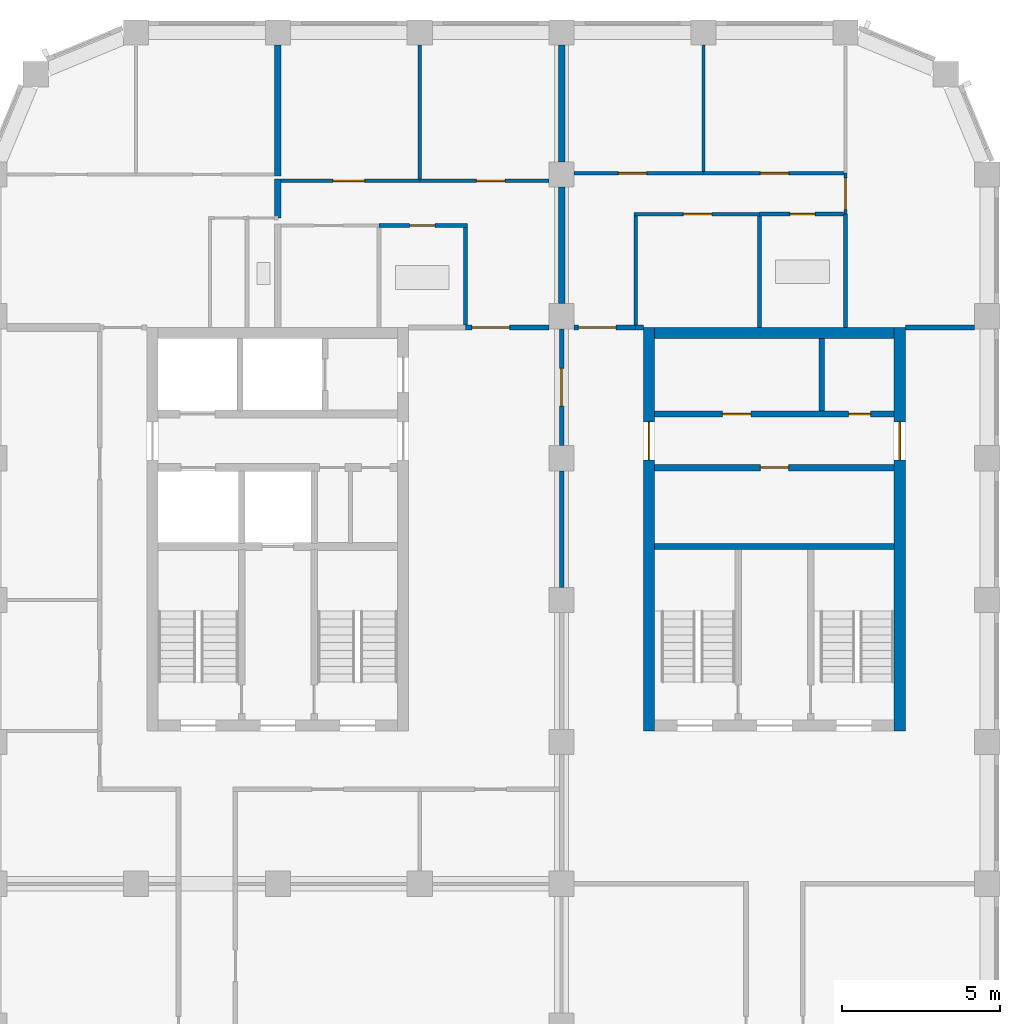
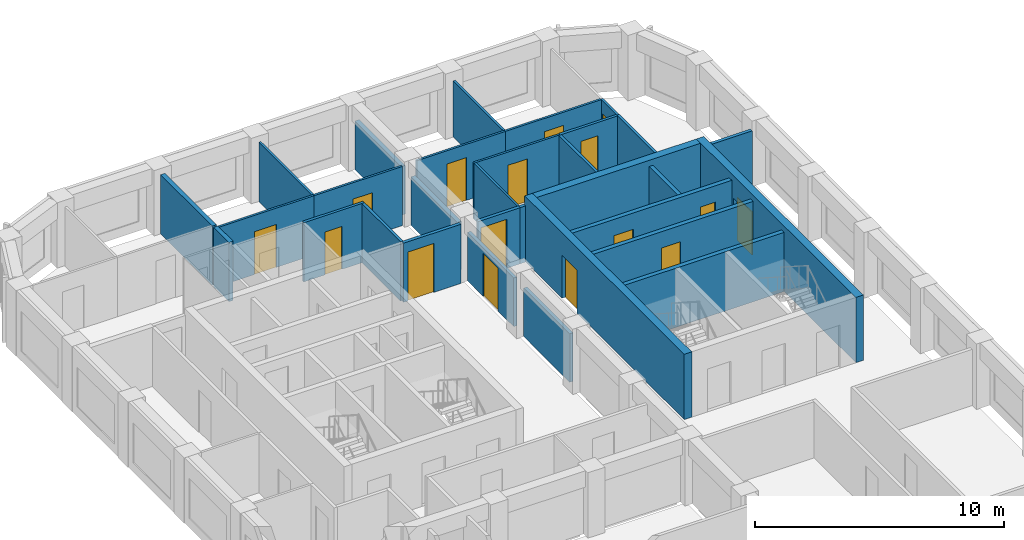
# One storey, part 6 of 9: 31 walls, 16 doors, 16 openings.
"""IFC4 building model written with IfcOpenShell, lengths in metres."""

from ifc_helpers import new_model, si_unit, direction, frame, frame_2d, origin, place, context, subcontext, project, spatial, rectangle, extrude, material, layer, layer_set, type_object, element, fill, save


model = new_model("IFC4")

# Units and contexts
model_context = context("Model", 3, precision=1e-05, world=origin(), true_north=direction((0.0, 1.0)))
body_context = subcontext(model_context, "Body", "Model", "MODEL_VIEW")
ifc_project = project(units=[si_unit("LENGTHUNIT", "METRE"), si_unit("AREAUNIT", "SQUARE_METRE"), si_unit("VOLUMEUNIT", "CUBIC_METRE"), si_unit("PLANEANGLEUNIT", "RADIAN"), si_unit("MASSUNIT", "GRAM", prefix="KILO")], contexts=[model_context])

# Site, building, storey
site_placement = place(None, origin())
site = spatial("IfcSite", under=ifc_project, at=site_placement, CompositionType="ELEMENT")
building_placement = place(site_placement, origin())
building = spatial("IfcBuilding", under=site, at=building_placement, Name="Girih Gate Residences", CompositionType="ELEMENT")
storey_placement = place(building_placement, frame((0.0, 0.0, 213.294921875)))
storey = spatial("IfcBuildingStorey", under=building, at=storey_placement, Name="L59", CompositionType="ELEMENT", Elevation=213.294921875)

# Wall, opening, door
ifc_material_1 = material(Name="Gypsum board on steel studs", Category="steel")
ifc_layer_1 = layer(ifc_material_1, 0.14990234375)
ifc_layer_set_1 = layer_set([ifc_layer_1], Name="Compartment wall 150 mm")
wall_type_1 = type_object("IfcWallType", Name="Compartment wall 150 mm", PredefinedType="PARTITIONING", material=ifc_layer_set_1)
wall_1_placement = place(storey_placement, frame((14.949951171875, 40.14990234375, 0.0), z_axis=(0.0, 0.0, 1.0), x_axis=(1.0, 0.0, 0.0)))
wall_1 = element("IfcWall", 1, at=wall_1_placement, inside=storey, type_object=wall_type_1, Name="L59 partition", PredefinedType="PARTITIONING", context=body_context, shape_type="SweptSolid", body=[
    extrude(rectangle(XDim=2.650146484375, YDim=0.14990234375, at=frame_2d((1.3251953125, 0.0))), origin(), (0.0, 0.0, 1.0), 2.900146484375),
])
opening_1_placement = place(wall_1_placement, frame((0.199951171875, 0.0, 0.0)))
opening_1 = element("IfcOpeningElement", 2, at=opening_1_placement, cuts=wall_1, Name="Opening A59-016", PredefinedType="OPENING", context=body_context, shape_type="SweptSolid", body=[
    extrude(rectangle(XDim=1.199951171875, YDim=2.39990234375, at=frame_2d((0.60009765625, 1.199951171875))), frame((0.0, 0.0849609375, 0.0), z_axis=(0.0, -1.0, 0.0), x_axis=(1.0, 0.0, 0.0)), (0.0, 0.0, 1.0), 0.169921875),
])
ifc_material_2 = material(Name="Timber, fire-rated core", Category="wood")
door_type_1 = type_object("IfcDoorType", Name="Villa entrance door 1200x2400 FD30S", OperationType="NOTDEFINED", PredefinedType="DOOR", material=ifc_material_2)
door_1_placement = place(opening_1_placement, origin())
door_1 = element("IfcDoor", 3, at=door_1_placement, inside=storey, type_object=door_type_1, Name="Door A59-016", OperationType="SINGLE_SWING_LEFT", OverallHeight=2.39990234375, OverallWidth=1.199951171875, PredefinedType="DOOR", context=body_context, shape_type="SweptSolid", body=[
    extrude(rectangle(XDim=1.199951171875, YDim=2.39990234375, at=frame_2d((0.60009765625, 1.199951171875))), frame((0.0, 0.02490234375, 0.0), z_axis=(0.0, -1.0, 0.0), x_axis=(1.0, 0.0, 0.0)), (0.0, 0.0, 1.0), 0.050048828125),
])
fill(opening_1, door_1)

wall_2_placement = place(storey_placement, frame((18.39990234375, 40.14990234375, 0.0), z_axis=(0.0, 0.0, 1.0), x_axis=(1.0, 0.0, 0.0)))
wall_2 = element("IfcWall", 4, at=wall_2_placement, inside=storey, type_object=wall_type_1, Name="L59 partition", PredefinedType="PARTITIONING", context=body_context, shape_type="SweptSolid", body=[
    extrude(rectangle(XDim=1.9501953125, YDim=0.14990234375, at=frame_2d((0.97509765625, 0.0))), origin(), (0.0, 0.0, 1.0), 2.75),
])
opening_2_placement = place(wall_2_placement, frame((0.1298828125, 0.0, 0.0)))
opening_2 = element("IfcOpeningElement", 5, at=opening_2_placement, cuts=wall_2, Name="Opening A59-022", PredefinedType="OPENING", context=body_context, shape_type="SweptSolid", body=[
    extrude(rectangle(XDim=1.199951171875, YDim=2.39990234375, at=frame_2d((0.60009765625, 1.199951171875))), frame((0.0, 0.0849609375, 0.0), z_axis=(0.0, -1.0, 0.0), x_axis=(1.0, 0.0, 0.0)), (0.0, 0.0, 1.0), 0.169921875),
])
door_2_placement = place(opening_2_placement, origin())
door_2 = element("IfcDoor", 6, at=door_2_placement, inside=storey, type_object=door_type_1, Name="Door A59-022", OperationType="SINGLE_SWING_LEFT", OverallHeight=2.39990234375, OverallWidth=1.199951171875, PredefinedType="DOOR", context=body_context, shape_type="SweptSolid", body=[
    extrude(rectangle(XDim=1.199951171875, YDim=2.39990234375, at=frame_2d((0.60009765625, 1.199951171875))), frame((0.0, 0.02490234375, 0.0), z_axis=(0.0, -1.0, 0.0), x_axis=(1.0, 0.0, 0.0)), (0.0, 0.0, 1.0), 0.050048828125),
])
fill(opening_2, door_2)

# Walls
wall_3_placement = place(storey_placement, frame((20.35009765625, 40.14990234375, 0.0), z_axis=(0.0, 0.0, 1.0), x_axis=(1.0, 0.0, 0.0)))
element("IfcWall", 7, at=wall_3_placement, inside=storey, type_object=wall_type_1, Name="L59 partition", PredefinedType="PARTITIONING", context=body_context, shape_type="SweptSolid", body=[
    extrude(rectangle(XDim=0.25, YDim=0.14990234375, at=frame_2d((0.125, 0.0))), origin(), (0.0, 0.0, 1.0), 2.75),
])
wall_4_placement = place(storey_placement, frame((28.89990234375, 40.14990234375, 0.0), z_axis=(0.0, 0.0, 1.0), x_axis=(1.0, 0.0, 0.0)))
element("IfcWall", 8, at=wall_4_placement, inside=storey, type_object=wall_type_1, Name="L59 partition", PredefinedType="PARTITIONING", context=body_context, shape_type="SweptSolid", body=[
    extrude(rectangle(XDim=2.2001953125, YDim=0.14990234375, at=frame_2d((1.10009765625, 0.0))), origin(), (0.0, 0.0, 1.0), 2.75),
])
wall_5_placement = place(storey_placement, frame((18.0, 31.89990234375, 0.0), z_axis=(0.0, 0.0, 1.0), x_axis=(0.0, 1.0, 0.0)))
element("IfcWall", 9, at=wall_5_placement, inside=storey, type_object=wall_type_1, Name="L59 partition", PredefinedType="PARTITIONING", context=body_context, shape_type="SweptSolid", body=[
    extrude(rectangle(XDim=3.7001953125, YDim=0.14990234375, at=frame_2d((1.85009765625, 0.0))), origin(), (0.0, 0.0, 1.0), 2.380126953125),
])

# Wall, opening, door
wall_6_placement = place(storey_placement, frame((18.0, 40.10009765625, 0.0), z_axis=(0.0, 0.0, 1.0), x_axis=(0.0, -1.0, 0.0)))
wall_6 = element("IfcWall", 10, at=wall_6_placement, inside=storey, type_object=wall_type_1, Name="L59 partition", PredefinedType="PARTITIONING", context=body_context, shape_type="SweptSolid", body=[
    extrude(rectangle(XDim=3.7001953125, YDim=0.14990234375, at=frame_2d((1.85009765625, 0.0))), origin(), (0.0, 0.0, 1.0), 2.380126953125),
])
opening_3_placement = place(wall_6_placement, frame((1.25, 0.0, 0.0)))
opening_3 = element("IfcOpeningElement", 11, at=opening_3_placement, cuts=wall_6, Name="Opening A59-024", PredefinedType="OPENING", context=body_context, shape_type="SweptSolid", body=[
    extrude(rectangle(XDim=1.199951171875, YDim=2.10009765625, at=frame_2d((0.60009765625, 1.050048828125))), frame((0.0, 0.0849609375, 0.0), z_axis=(0.0, -1.0, 0.0), x_axis=(1.0, 0.0, 0.0)), (0.0, 0.0, 1.0), 0.169921875),
])
door_type_2 = type_object("IfcDoorType", Name="Corridor fire door 1200x2100 FD30S", OperationType="NOTDEFINED", PredefinedType="DOOR", material=ifc_material_2)
door_3_placement = place(opening_3_placement, origin())
door_3 = element("IfcDoor", 12, at=door_3_placement, inside=storey, type_object=door_type_2, Name="Door A59-024", OperationType="SINGLE_SWING_LEFT", OverallHeight=2.10009765625, OverallWidth=1.199951171875, PredefinedType="DOOR", context=body_context, shape_type="SweptSolid", body=[
    extrude(rectangle(XDim=1.199951171875, YDim=2.10009765625, at=frame_2d((0.60009765625, 1.050048828125))), frame((0.0, 0.02490234375, 0.0), z_axis=(0.0, -1.0, 0.0), x_axis=(1.0, 0.0, 0.0)), (0.0, 0.0, 1.0), 0.050048828125),
])
fill(opening_3, door_3)

ifc_layer_2 = layer(ifc_material_1, 0.10009765625)
ifc_layer_set_2 = layer_set([ifc_layer_2], Name="Partition 100 mm")
wall_type_2 = type_object("IfcWallType", Name="Partition 100 mm", PredefinedType="PARTITIONING", material=ifc_layer_set_2)
wall_7_placement = place(storey_placement, frame((13.5, 44.800048828125, 0.0), z_axis=(0.0, 0.0, 1.0), x_axis=(1.0, 0.0, 0.0)))
wall_7 = element("IfcWall", 13, at=wall_7_placement, inside=storey, type_object=wall_type_2, Name="L59 partition", PredefinedType="PARTITIONING", context=body_context, shape_type="SweptSolid", body=[
    extrude(rectangle(XDim=4.10009765625, YDim=0.10009765625, at=frame_2d((2.050048828125, 0.0))), origin(), (0.0, 0.0, 1.0), 2.900146484375),
])
opening_4_placement = place(wall_7_placement, frame((1.800048828125, 0.0, 0.0)))
opening_4 = element("IfcOpeningElement", 14, at=opening_4_placement, cuts=wall_7, Name="Opening A59-013", PredefinedType="OPENING", context=body_context, shape_type="SweptSolid", body=[
    extrude(rectangle(XDim=0.89990234375, YDim=2.10009765625, at=frame_2d((0.449951171875, 1.050048828125))), frame((0.0, 0.06005859375, 0.0), z_axis=(0.0, -1.0, 0.0), x_axis=(1.0, 0.0, 0.0)), (0.0, 0.0, 1.0), 0.1201171875),
])
ifc_material_3 = material(Name="Timber", Category="wood")
door_type_3 = type_object("IfcDoorType", Name="Bedroom door 900x2100", OperationType="NOTDEFINED", PredefinedType="DOOR", material=ifc_material_3)
door_4_placement = place(opening_4_placement, origin())
door_4 = element("IfcDoor", 15, at=door_4_placement, inside=storey, type_object=door_type_3, Name="Door A59-013", OperationType="SINGLE_SWING_RIGHT", OverallHeight=2.10009765625, OverallWidth=0.89990234375, PredefinedType="DOOR", context=body_context, shape_type="SweptSolid", body=[
    extrude(rectangle(XDim=0.89990234375, YDim=2.10009765625, at=frame_2d((0.449951171875, 1.050048828125))), frame((0.0, 0.02490234375, 0.0), z_axis=(0.0, -1.0, 0.0), x_axis=(1.0, 0.0, 0.0)), (0.0, 0.0, 1.0), 0.050048828125),
])
fill(opening_4, door_4)

# Wall
wall_8_placement = place(storey_placement, frame((13.5, 44.85009765625, 0.0), z_axis=(0.0, 0.0, 1.0), x_axis=(0.0, 1.0, 0.0)))
element("IfcWall", 16, at=wall_8_placement, inside=storey, type_object=wall_type_2, Name="L59 partition", PredefinedType="PARTITIONING", context=body_context, shape_type="SweptSolid", body=[
    extrude(rectangle(XDim=4.25, YDim=0.10009765625, at=frame_2d((2.125, 0.0))), origin(), (0.0, 0.0, 1.0), 2.900146484375),
])

# Wall, opening, door
wall_9_placement = place(storey_placement, frame((9.10009765625, 44.800048828125, 0.0), z_axis=(0.0, 0.0, 1.0), x_axis=(1.0, 0.0, 0.0)))
wall_9 = element("IfcWall", 17, at=wall_9_placement, inside=storey, type_object=wall_type_2, Name="L59 partition", PredefinedType="PARTITIONING", context=body_context, shape_type="SweptSolid", body=[
    extrude(rectangle(XDim=4.39990234375, YDim=0.10009765625, at=frame_2d((2.199951171875, 0.0))), origin(), (0.0, 0.0, 1.0), 2.900146484375),
])
opening_5_placement = place(wall_9_placement, frame((1.64990234375, 0.0, 0.0)))
opening_5 = element("IfcOpeningElement", 18, at=opening_5_placement, cuts=wall_9, Name="Opening A59-015", PredefinedType="OPENING", context=body_context, shape_type="SweptSolid", body=[
    extrude(rectangle(XDim=1.0, YDim=2.10009765625, at=frame_2d((0.5, 1.050048828125))), frame((0.0, 0.06005859375, 0.0), z_axis=(0.0, -1.0, 0.0), x_axis=(1.0, 0.0, 0.0)), (0.0, 0.0, 1.0), 0.1201171875),
])
door_type_4 = type_object("IfcDoorType", Name="Living room door 1000x2100", OperationType="NOTDEFINED", PredefinedType="DOOR", material=ifc_material_3)
door_5_placement = place(opening_5_placement, origin())
door_5 = element("IfcDoor", 19, at=door_5_placement, inside=storey, type_object=door_type_4, Name="Door A59-015", OperationType="SINGLE_SWING_LEFT", OverallHeight=2.10009765625, OverallWidth=1.0, PredefinedType="DOOR", context=body_context, shape_type="SweptSolid", body=[
    extrude(rectangle(XDim=1.0, YDim=2.10009765625, at=frame_2d((0.5, 1.050048828125))), frame((0.0, 0.02490234375, 0.0), z_axis=(0.0, -1.0, 0.0), x_axis=(1.0, 0.0, 0.0)), (0.0, 0.0, 1.0), 0.050048828125),
])
fill(opening_5, door_5)

# Wall
wall_10_placement = place(storey_placement, frame((22.5, 45.090087890625, 0.0), z_axis=(0.0, 0.0, 1.0), x_axis=(0.0, 1.0, 0.0)))
element("IfcWall", 20, at=wall_10_placement, inside=storey, type_object=wall_type_2, Name="L59 partition", PredefinedType="PARTITIONING", context=body_context, shape_type="SweptSolid", body=[
    extrude(rectangle(XDim=4.010009765625, YDim=0.10009765625, at=frame_2d((2.0048828125, 0.0))), origin(), (0.0, 0.0, 1.0), 2.75),
])

# Wall, opening, door
wall_11_placement = place(storey_placement, frame((18.39990234375, 45.0400390625, 0.0), z_axis=(0.0, 0.0, 1.0), x_axis=(1.0, 0.0, 0.0)))
wall_11 = element("IfcWall", 21, at=wall_11_placement, inside=storey, type_object=wall_type_2, Name="L59 partition", PredefinedType="PARTITIONING", context=body_context, shape_type="SweptSolid", body=[
    extrude(rectangle(XDim=4.10009765625, YDim=0.10009765625, at=frame_2d((2.050048828125, 0.0))), origin(), (0.0, 0.0, 1.0), 2.75),
])
opening_6_placement = place(wall_11_placement, frame((1.39990234375, 0.0, 0.0)))
opening_6 = element("IfcOpeningElement", 22, at=opening_6_placement, cuts=wall_11, Name="Opening A59-018", PredefinedType="OPENING", context=body_context, shape_type="SweptSolid", body=[
    extrude(rectangle(XDim=0.89990234375, YDim=2.10009765625, at=frame_2d((0.449951171875, 1.050048828125))), frame((0.0, 0.06005859375, 0.0), z_axis=(0.0, -1.0, 0.0), x_axis=(1.0, 0.0, 0.0)), (0.0, 0.0, 1.0), 0.1201171875),
])
door_6_placement = place(opening_6_placement, origin())
door_6 = element("IfcDoor", 23, at=door_6_placement, inside=storey, type_object=door_type_3, Name="Door A59-018", OperationType="SINGLE_SWING_LEFT", OverallHeight=2.10009765625, OverallWidth=0.89990234375, PredefinedType="DOOR", context=body_context, shape_type="SweptSolid", body=[
    extrude(rectangle(XDim=0.89990234375, YDim=2.10009765625, at=frame_2d((0.449951171875, 1.050048828125))), frame((0.0, 0.02490234375, 0.0), z_axis=(0.0, -1.0, 0.0), x_axis=(1.0, 0.0, 0.0)), (0.0, 0.0, 1.0), 0.050048828125),
])
fill(opening_6, door_6)

wall_12_placement = place(storey_placement, frame((22.5, 45.0400390625, 0.0), z_axis=(0.0, 0.0, 1.0), x_axis=(1.0, 0.0, 0.0)))
wall_12 = element("IfcWall", 24, at=wall_12_placement, inside=storey, type_object=wall_type_2, Name="L59 partition", PredefinedType="PARTITIONING", context=body_context, shape_type="SweptSolid", body=[
    extrude(rectangle(XDim=4.449951171875, YDim=0.10009765625, at=frame_2d((2.22509765625, 0.0))), origin(), (0.0, 0.0, 1.0), 2.75),
])
opening_7_placement = place(wall_12_placement, frame((1.800048828125, 0.0, 0.0)))
opening_7 = element("IfcOpeningElement", 25, at=opening_7_placement, cuts=wall_12, Name="Opening A59-019", PredefinedType="OPENING", context=body_context, shape_type="SweptSolid", body=[
    extrude(rectangle(XDim=0.89990234375, YDim=2.10009765625, at=frame_2d((0.449951171875, 1.050048828125))), frame((0.0, 0.06005859375, 0.0), z_axis=(0.0, -1.0, 0.0), x_axis=(1.0, 0.0, 0.0)), (0.0, 0.0, 1.0), 0.1201171875),
])
door_7_placement = place(opening_7_placement, origin())
door_7 = element("IfcDoor", 26, at=door_7_placement, inside=storey, type_object=door_type_3, Name="Door A59-019", OperationType="SINGLE_SWING_RIGHT", OverallHeight=2.10009765625, OverallWidth=0.89990234375, PredefinedType="DOOR", context=body_context, shape_type="SweptSolid", body=[
    extrude(rectangle(XDim=0.89990234375, YDim=2.10009765625, at=frame_2d((0.449951171875, 1.050048828125))), frame((0.0, 0.02490234375, 0.0), z_axis=(0.0, -1.0, 0.0), x_axis=(1.0, 0.0, 0.0)), (0.0, 0.0, 1.0), 0.050048828125),
])
fill(opening_7, door_7)

wall_13_placement = place(storey_placement, frame((24.2783203125, 43.739990234375, 0.0), z_axis=(0.0, 0.0, 1.0), x_axis=(-1.0, 0.0, 0.0)))
wall_13 = element("IfcWall", 27, at=wall_13_placement, inside=storey, type_object=wall_type_2, Name="L59 partition", PredefinedType="PARTITIONING", context=body_context, shape_type="SweptSolid", body=[
    extrude(rectangle(XDim=3.978271484375, YDim=0.10009765625, at=frame_2d((1.9892578125, 0.0))), origin(), (0.0, 0.0, 1.0), 2.75),
])
opening_8_placement = place(wall_13_placement, frame((1.51416015625, 0.0, 0.0)))
opening_8 = element("IfcOpeningElement", 28, at=opening_8_placement, cuts=wall_13, Name="Opening A59-020", PredefinedType="OPENING", context=body_context, shape_type="SweptSolid", body=[
    extrude(rectangle(XDim=0.89990234375, YDim=2.10009765625, at=frame_2d((0.449951171875, 1.050048828125))), frame((0.0, 0.06005859375, 0.0), z_axis=(0.0, -1.0, 0.0), x_axis=(1.0, 0.0, 0.0)), (0.0, 0.0, 1.0), 0.1201171875),
])
door_type_5 = type_object("IfcDoorType", Name="Kitchen door 900x2100", OperationType="NOTDEFINED", PredefinedType="DOOR", material=ifc_material_3)
door_8_placement = place(opening_8_placement, origin())
door_8 = element("IfcDoor", 29, at=door_8_placement, inside=storey, type_object=door_type_5, Name="Door A59-020", OperationType="SINGLE_SWING_LEFT", OverallHeight=2.10009765625, OverallWidth=0.89990234375, PredefinedType="DOOR", context=body_context, shape_type="SweptSolid", body=[
    extrude(rectangle(XDim=0.89990234375, YDim=2.10009765625, at=frame_2d((0.449951171875, 1.050048828125))), frame((0.0, 0.02490234375, 0.0), z_axis=(0.0, -1.0, 0.0), x_axis=(1.0, 0.0, 0.0)), (0.0, 0.0, 1.0), 0.050048828125),
])
fill(opening_8, door_8)

# Wall
wall_14_placement = place(storey_placement, frame((20.35009765625, 40.22509765625, 0.0), z_axis=(0.0, 0.0, 1.0), x_axis=(0.0, 1.0, 0.0)))
element("IfcWall", 30, at=wall_14_placement, inside=storey, type_object=wall_type_2, Name="L59 partition", PredefinedType="PARTITIONING", context=body_context, shape_type="SweptSolid", body=[
    extrude(rectangle(XDim=3.46484375, YDim=0.10009765625, at=frame_2d((1.732421875, 0.0))), origin(), (0.0, 0.0, 1.0), 2.75),
])

# Wall, opening, door
wall_15_placement = place(storey_placement, frame((27.0, 45.0400390625, 0.0), z_axis=(0.0, 0.0, 1.0), x_axis=(0.0, -1.0, 0.0)))
wall_15 = element("IfcWall", 31, at=wall_15_placement, inside=storey, type_object=wall_type_2, Name="L59 partition", PredefinedType="PARTITIONING", context=body_context, shape_type="SweptSolid", body=[
    extrude(rectangle(XDim=1.300048828125, YDim=0.10009765625, at=frame_2d((0.64990234375, 0.0))), origin(), (0.0, 0.0, 1.0), 2.75),
])
opening_9_placement = place(wall_15_placement, frame((0.14990234375, 0.0, 0.0)))
opening_9 = element("IfcOpeningElement", 32, at=opening_9_placement, cuts=wall_15, Name="Opening A59-021", PredefinedType="OPENING", context=body_context, shape_type="SweptSolid", body=[
    extrude(rectangle(XDim=1.0, YDim=2.10009765625, at=frame_2d((0.5, 1.050048828125))), frame((0.0, 0.06005859375, 0.0), z_axis=(0.0, -1.0, 0.0), x_axis=(1.0, 0.0, 0.0)), (0.0, 0.0, 1.0), 0.1201171875),
])
door_9_placement = place(opening_9_placement, origin())
door_9 = element("IfcDoor", 33, at=door_9_placement, inside=storey, type_object=door_type_4, Name="Door A59-021", OperationType="SINGLE_SWING_RIGHT", OverallHeight=2.10009765625, OverallWidth=1.0, PredefinedType="DOOR", context=body_context, shape_type="SweptSolid", body=[
    extrude(rectangle(XDim=1.0, YDim=2.10009765625, at=frame_2d((0.5, 1.050048828125))), frame((0.0, 0.02490234375, 0.0), z_axis=(0.0, -1.0, 0.0), x_axis=(1.0, 0.0, 0.0)), (0.0, 0.0, 1.0), 0.050048828125),
])
fill(opening_9, door_9)

# Walls
ifc_layer_3 = layer(ifc_material_1, 0.199951171875)
ifc_layer_set_3 = layer_set([ifc_layer_3], Name="Party wall 200 mm")
wall_type_3 = type_object("IfcWallType", Name="Party wall 200 mm", PredefinedType="PARTITIONING", material=ifc_layer_set_3)
wall_16_placement = place(storey_placement, frame((9.0, 44.949951171875, 0.0), z_axis=(0.0, 0.0, 1.0), x_axis=(0.0, 1.0, 0.0)))
element("IfcWall", 34, at=wall_16_placement, inside=storey, type_object=wall_type_3, Name="L59 partition", PredefinedType="PARTITIONING", context=body_context, shape_type="SweptSolid", body=[
    extrude(rectangle(XDim=4.150146484375, YDim=0.199951171875, at=frame_2d((2.0751953125, 0.0))), origin(), (0.0, 0.0, 1.0), 2.900146484375),
])
wall_17_placement = place(storey_placement, frame((9.0, 43.6201171875, 0.0), z_axis=(0.0, 0.0, 1.0), x_axis=(0.0, 1.0, 0.0)))
element("IfcWall", 35, at=wall_17_placement, inside=storey, type_object=wall_type_3, Name="L59 partition", PredefinedType="PARTITIONING", context=body_context, shape_type="SweptSolid", body=[
    extrude(rectangle(XDim=1.22998046875, YDim=0.199951171875, at=frame_2d((0.614990234375, 0.0))), origin(), (0.0, 0.0, 1.0), 2.900146484375),
])
for number, where, z_axis, x_axis, name in (
    (36, (18.0, 45.39990234375, 0.0), (0.0, 0.0, 1.0), (0.0, 1.0, 0.0), "L59 partition"),
    (37, (18.0, 40.89990234375, 0.0), (0.0, 0.0, 1.0), (0.0, 1.0, 0.0), "L59 partition"),
):
    element("IfcWall", number, at=place(storey_placement, frame(where, z_axis=z_axis, x_axis=x_axis)), inside=storey, type_object=wall_type_3, Name=name, PredefinedType="PARTITIONING", context=body_context, shape_type="SweptSolid", body=[
        extrude(rectangle(XDim=3.7001953125, YDim=0.199951171875, at=frame_2d((1.85009765625, 0.0))), origin(), (0.0, 0.0, 1.0), 2.380126953125),
    ])
ifc_material_4 = material(Name="Concrete C40/50", Category="concrete")
ifc_layer_4 = layer(ifc_material_4, 0.175048828125)
ifc_layer_set_4 = layer_set([ifc_layer_4], Name="Riser shaft wall 175")
wall_type_4 = type_object("IfcWallType", Name="Riser shaft wall 175", PredefinedType="SOLIDWALL", material=ifc_layer_set_4)
wall_18_placement = place(storey_placement, frame((26.25, 37.5, 0.0), z_axis=(0.0, 0.0, 1.0), x_axis=(0.0, 1.0, 0.0)))
element("IfcWall", 38, at=wall_18_placement, inside=storey, type_object=wall_type_4, Name="L59 C core wall V2c", PredefinedType="SOLIDWALL", context=body_context, shape_type="SweptSolid", body=[
    extrude(rectangle(XDim=2.300048828125, YDim=0.175048828125, at=frame_2d((1.14990234375, 0.0))), origin(), (0.0, 0.0, 1.0), 2.900146484375),
])
ifc_layer_5 = layer(ifc_material_4, 0.199951171875)
ifc_layer_set_5 = layer_set([ifc_layer_5], Name="Shaft wall 200")
wall_type_5 = type_object("IfcWallType", Name="Shaft wall 200", PredefinedType="SOLIDWALL", material=ifc_layer_set_5)
wall_19_placement = place(storey_placement, frame((20.949951171875, 33.199951171875, 0.0), z_axis=(0.0, 0.0, 1.0), x_axis=(1.0, 0.0, 0.0)))
element("IfcWall", 39, at=wall_19_placement, inside=storey, type_object=wall_type_5, Name="L59 C core wall H1", PredefinedType="SOLIDWALL", context=body_context, shape_type="SweptSolid", body=[
    extrude(rectangle(XDim=7.60009765625, YDim=0.199951171875, at=frame_2d((3.800048828125, 0.0))), origin(), (0.0, 0.0, 1.0), 2.900146484375),
])

# Wall, opening, door
wall_20_placement = place(storey_placement, frame((20.949951171875, 35.699951171875, 0.0), z_axis=(0.0, 0.0, 1.0), x_axis=(1.0, 0.0, 0.0)))
wall_20 = element("IfcWall", 40, at=wall_20_placement, inside=storey, type_object=wall_type_5, Name="L59 C core wall H2", PredefinedType="SOLIDWALL", context=body_context, shape_type="SweptSolid", body=[
    extrude(rectangle(XDim=7.60009765625, YDim=0.199951171875, at=frame_2d((3.800048828125, 0.0))), origin(), (0.0, 0.0, 1.0), 2.900146484375),
])
opening_10_placement = place(wall_20_placement, frame((3.35009765625, 0.0, 0.0)))
opening_10 = element("IfcOpeningElement", 41, at=opening_10_placement, cuts=wall_20, Name="Opening D-L59-C-004", PredefinedType="OPENING", context=body_context, shape_type="SweptSolid", body=[
    extrude(rectangle(XDim=0.89990234375, YDim=2.10009765625, at=frame_2d((0.449951171875, 1.050048828125))), frame((0.0, 0.10986328125, 0.0), z_axis=(0.0, -1.0, 0.0), x_axis=(1.0, 0.0, 0.0)), (0.0, 0.0, 1.0), 0.219970703125),
])
ifc_material_5 = material(Name="Painted steel, fire-resisting", Category="steel")
door_type_6 = type_object("IfcDoorType", Name="Fire door 900x2100", OperationType="SINGLE_SWING_LEFT", PredefinedType="DOOR", material=ifc_material_5)
door_10_placement = place(opening_10_placement, origin())
door_10 = element("IfcDoor", 42, at=door_10_placement, inside=storey, type_object=door_type_6, Name="L59 C refuse store door", OperationType="SINGLE_SWING_LEFT", OverallHeight=2.10009765625, OverallWidth=0.89990234375, PredefinedType="DOOR", context=body_context, shape_type="SweptSolid", body=[
    extrude(rectangle(XDim=0.89990234375, YDim=2.10009765625, at=frame_2d((0.449951171875, 1.050048828125))), frame((0.0, 0.02490234375, 0.0), z_axis=(0.0, -1.0, 0.0), x_axis=(1.0, 0.0, 0.0)), (0.0, 0.0, 1.0), 0.050048828125),
])
fill(opening_10, door_10)

# Wall, openings, doors
wall_21_placement = place(storey_placement, frame((20.949951171875, 37.39990234375, 0.0), z_axis=(0.0, 0.0, 1.0), x_axis=(1.0, 0.0, 0.0)))
wall_21 = element("IfcWall", 43, at=wall_21_placement, inside=storey, type_object=wall_type_5, Name="L59 C core wall H3", PredefinedType="SOLIDWALL", context=body_context, shape_type="SweptSolid", body=[
    extrude(rectangle(XDim=7.60009765625, YDim=0.199951171875, at=frame_2d((3.800048828125, 0.0))), origin(), (0.0, 0.0, 1.0), 2.900146484375),
])
opening_11_placement = place(wall_21_placement, frame((6.14990234375, 0.0, 0.0)))
opening_11 = element("IfcOpeningElement", 44, at=opening_11_placement, cuts=wall_21, Name="Opening D-L59-C-003", PredefinedType="OPENING", context=body_context, shape_type="SweptSolid", body=[
    extrude(rectangle(XDim=0.699951171875, YDim=2.10009765625, at=frame_2d((0.35009765625, 1.050048828125))), frame((0.0, 0.10986328125, 0.0), z_axis=(0.0, -1.0, 0.0), x_axis=(1.0, 0.0, 0.0)), (0.0, 0.0, 1.0), 0.219970703125),
])
opening_12_placement = place(wall_21_placement, frame((2.14990234375, 0.0, 0.0)))
opening_12 = element("IfcOpeningElement", 45, at=opening_12_placement, cuts=wall_21, Name="Opening D-L59-C-005", PredefinedType="OPENING", context=body_context, shape_type="SweptSolid", body=[
    extrude(rectangle(XDim=0.89990234375, YDim=2.10009765625, at=frame_2d((0.449951171875, 1.050048828125))), frame((0.0, 0.10986328125, 0.0), z_axis=(0.0, -1.0, 0.0), x_axis=(1.0, 0.0, 0.0)), (0.0, 0.0, 1.0), 0.219970703125),
])
door_11_placement = place(opening_12_placement, origin())
door_11 = element("IfcDoor", 46, at=door_11_placement, inside=storey, type_object=door_type_6, Name="L59 C maintenance store door", OperationType="SINGLE_SWING_LEFT", OverallHeight=2.10009765625, OverallWidth=0.89990234375, PredefinedType="DOOR", context=body_context, shape_type="SweptSolid", body=[
    extrude(rectangle(XDim=0.89990234375, YDim=2.10009765625, at=frame_2d((0.449951171875, 1.050048828125))), frame((0.0, 0.02490234375, 0.0), z_axis=(0.0, -1.0, 0.0), x_axis=(1.0, 0.0, 0.0)), (0.0, 0.0, 1.0), 0.050048828125),
])
fill(opening_12, door_11)
door_type_7 = type_object("IfcDoorType", Name="Riser access door 700x2100", OperationType="SINGLE_SWING_LEFT", PredefinedType="DOOR", material=ifc_material_5)
door_12_placement = place(opening_11_placement, origin())
door_12 = element("IfcDoor", 47, at=door_12_placement, inside=storey, type_object=door_type_7, Name="L59 C riser room door", OperationType="SINGLE_SWING_LEFT", OverallHeight=2.10009765625, OverallWidth=0.699951171875, PredefinedType="DOOR", context=body_context, shape_type="SweptSolid", body=[
    extrude(rectangle(XDim=0.699951171875, YDim=2.10009765625, at=frame_2d((0.35009765625, 1.050048828125))), frame((0.0, 0.02490234375, 0.0), z_axis=(0.0, -1.0, 0.0), x_axis=(1.0, 0.0, 0.0)), (0.0, 0.0, 1.0), 0.050048828125),
])
fill(opening_11, door_12)

# Wall
ifc_layer_6 = layer(ifc_material_4, 0.35009765625)
ifc_layer_set_6 = layer_set([ifc_layer_6], Name="Stair core wall RC 350 Concrete C40/50")
wall_type_6 = type_object("IfcWallType", Name="Stair core wall RC 350 Concrete C40/50", PredefinedType="SOLIDWALL", material=ifc_layer_set_6)
wall_22_placement = place(storey_placement, frame((20.949951171875, 39.97509765625, 0.0), z_axis=(0.0, 0.0, 1.0), x_axis=(1.0, 0.0, 0.0)))
element("IfcWall", 48, at=wall_22_placement, inside=storey, type_object=wall_type_6, Name="Stair core wall C-N L59", PredefinedType="SOLIDWALL", context=body_context, shape_type="SweptSolid", body=[
    extrude(rectangle(XDim=7.60009765625, YDim=0.35009765625, at=frame_2d((3.800048828125, 0.0))), origin(), (0.0, 0.0, 1.0), 3.2001953125),
])

# Wall, opening, door
wall_23_placement = place(storey_placement, frame((20.77490234375, 27.35009765625, 0.0), z_axis=(0.0, 0.0, 1.0), x_axis=(0.0, 1.0, 0.0)))
wall_23 = element("IfcWall", 49, at=wall_23_placement, inside=storey, type_object=wall_type_6, Name="Stair core wall C-W L59", PredefinedType="SOLIDWALL", context=body_context, shape_type="SweptSolid", body=[
    extrude(rectangle(XDim=12.7998046875, YDim=0.35009765625, at=frame_2d((6.39990234375, 0.0))), origin(), (0.0, 0.0, 1.0), 3.2001953125),
])
opening_13_placement = place(wall_23_placement, frame((8.60009765625, 0.0, 0.0)))
opening_13 = element("IfcOpeningElement", 50, at=opening_13_placement, cuts=wall_23, Name="Opening D-L59-C-009", PredefinedType="OPENING", context=body_context, shape_type="SweptSolid", body=[
    extrude(rectangle(XDim=1.199951171875, YDim=2.10009765625, at=frame_2d((0.60009765625, 1.050048828125))), frame((0.0, 0.18505859375, 0.0), z_axis=(0.0, -1.0, 0.0), x_axis=(1.0, 0.0, 0.0)), (0.0, 0.0, 1.0), 0.3701171875),
])
door_type_8 = type_object("IfcDoorType", Name="Fire door 1200x2100", OperationType="SINGLE_SWING_LEFT", PredefinedType="DOOR", material=ifc_material_5)
door_13_placement = place(opening_13_placement, origin())
door_13 = element("IfcDoor", 51, at=door_13_placement, inside=storey, type_object=door_type_8, Name="L59 C core door ll-w", OperationType="SINGLE_SWING_LEFT", OverallHeight=2.10009765625, OverallWidth=1.199951171875, PredefinedType="DOOR", context=body_context, shape_type="SweptSolid", body=[
    extrude(rectangle(XDim=1.199951171875, YDim=2.10009765625, at=frame_2d((0.60009765625, 1.050048828125))), frame((0.0, 0.02490234375, 0.0), z_axis=(0.0, -1.0, 0.0), x_axis=(1.0, 0.0, 0.0)), (0.0, 0.0, 1.0), 0.050048828125),
])
fill(opening_13, door_13)

wall_24_placement = place(storey_placement, frame((28.72509765625, 27.35009765625, 0.0), z_axis=(0.0, 0.0, 1.0), x_axis=(0.0, 1.0, 0.0)))
wall_24 = element("IfcWall", 52, at=wall_24_placement, inside=storey, type_object=wall_type_6, Name="Stair core wall C-E L59", PredefinedType="SOLIDWALL", context=body_context, shape_type="SweptSolid", body=[
    extrude(rectangle(XDim=12.7998046875, YDim=0.35009765625, at=frame_2d((6.39990234375, 0.0))), origin(), (0.0, 0.0, 1.0), 3.2001953125),
])
opening_14_placement = place(wall_24_placement, frame((8.60009765625, 0.0, 0.0)))
opening_14 = element("IfcOpeningElement", 53, at=opening_14_placement, cuts=wall_24, Name="Opening D-L59-C-010", PredefinedType="OPENING", context=body_context, shape_type="SweptSolid", body=[
    extrude(rectangle(XDim=1.199951171875, YDim=2.10009765625, at=frame_2d((0.60009765625, 1.050048828125))), frame((0.0, 0.18505859375, 0.0), z_axis=(0.0, -1.0, 0.0), x_axis=(1.0, 0.0, 0.0)), (0.0, 0.0, 1.0), 0.3701171875),
])
door_14_placement = place(opening_14_placement, origin())
door_14 = element("IfcDoor", 54, at=door_14_placement, inside=storey, type_object=door_type_8, Name="L59 C core door ll-e", OperationType="SINGLE_SWING_LEFT", OverallHeight=2.10009765625, OverallWidth=1.199951171875, PredefinedType="DOOR", context=body_context, shape_type="SweptSolid", body=[
    extrude(rectangle(XDim=1.199951171875, YDim=2.10009765625, at=frame_2d((0.60009765625, 1.050048828125))), frame((0.0, 0.02490234375, 0.0), z_axis=(0.0, -1.0, 0.0), x_axis=(1.0, 0.0, 0.0)), (0.0, 0.0, 1.0), 0.050048828125),
])
fill(opening_14, door_14)

ifc_layer_7 = layer(ifc_material_1, 0.125)
ifc_layer_set_7 = layer_set([ifc_layer_7], Name="Wet room wall 125 mm")
wall_type_7 = type_object("IfcWallType", Name="Wet room wall 125 mm", PredefinedType="PARTITIONING", material=ifc_layer_set_7)
wall_25_placement = place(storey_placement, frame((15.012451171875, 43.3798828125, 0.0), z_axis=(0.0, 0.0, 1.0), x_axis=(-1.0, 0.0, 0.0)))
wall_25 = element("IfcWall", 55, at=wall_25_placement, inside=storey, type_object=wall_type_7, Name="L59 partition", PredefinedType="PARTITIONING", context=body_context, shape_type="SweptSolid", body=[
    extrude(rectangle(XDim=2.8115234375, YDim=0.125, at=frame_2d((1.40576171875, 0.0))), origin(), (0.0, 0.0, 1.0), 2.900146484375),
])
opening_15_placement = place(wall_25_placement, frame((1.037109375, 0.0, 0.0)))
opening_15 = element("IfcOpeningElement", 56, at=opening_15_placement, cuts=wall_25, Name="Opening A59-012", PredefinedType="OPENING", context=body_context, shape_type="SweptSolid", body=[
    extrude(rectangle(XDim=0.800048828125, YDim=2.10009765625, at=frame_2d((0.39990234375, 1.050048828125))), frame((0.0, 0.072509765625, 0.0), z_axis=(0.0, -1.0, 0.0), x_axis=(1.0, 0.0, 0.0)), (0.0, 0.0, 1.0), 0.14501953125),
])
door_type_9 = type_object("IfcDoorType", Name="Bathroom door 800x2100", OperationType="NOTDEFINED", PredefinedType="DOOR", material=ifc_material_3)
door_15_placement = place(opening_15_placement, origin())
door_15 = element("IfcDoor", 57, at=door_15_placement, inside=storey, type_object=door_type_9, Name="Door A59-012", OperationType="SINGLE_SWING_RIGHT", OverallHeight=2.10009765625, OverallWidth=0.800048828125, PredefinedType="DOOR", context=body_context, shape_type="SweptSolid", body=[
    extrude(rectangle(XDim=0.800048828125, YDim=2.10009765625, at=frame_2d((0.39990234375, 1.050048828125))), frame((0.0, 0.02490234375, 0.0), z_axis=(0.0, -1.0, 0.0), x_axis=(1.0, 0.0, 0.0)), (0.0, 0.0, 1.0), 0.050048828125),
])
fill(opening_15, door_15)

# Wall
wall_26_placement = place(storey_placement, frame((14.949951171875, 40.22509765625, 0.0), z_axis=(0.0, 0.0, 1.0), x_axis=(0.0, 1.0, 0.0)))
element("IfcWall", 58, at=wall_26_placement, inside=storey, type_object=wall_type_7, Name="L59 partition", PredefinedType="PARTITIONING", context=body_context, shape_type="SweptSolid", body=[
    extrude(rectangle(XDim=3.09228515625, YDim=0.125, at=frame_2d((1.546142578125, 0.0))), origin(), (0.0, 0.0, 1.0), 2.900146484375),
])

# Wall, opening, door
wall_27_placement = place(storey_placement, frame((26.9375, 43.739990234375, 0.0), z_axis=(0.0, 0.0, 1.0), x_axis=(-1.0, 0.0, 0.0)))
wall_27 = element("IfcWall", 59, at=wall_27_placement, inside=storey, type_object=wall_type_7, Name="L59 partition", PredefinedType="PARTITIONING", context=body_context, shape_type="SweptSolid", body=[
    extrude(rectangle(XDim=2.6591796875, YDim=0.125, at=frame_2d((1.32958984375, 0.0))), origin(), (0.0, 0.0, 1.0), 2.75),
])
opening_16_placement = place(wall_27_placement, frame((0.898193359375, 0.0, 0.0)))
opening_16 = element("IfcOpeningElement", 60, at=opening_16_placement, cuts=wall_27, Name="Opening A59-017", PredefinedType="OPENING", context=body_context, shape_type="SweptSolid", body=[
    extrude(rectangle(XDim=0.800048828125, YDim=2.10009765625, at=frame_2d((0.39990234375, 1.050048828125))), frame((0.0, 0.072509765625, 0.0), z_axis=(0.0, -1.0, 0.0), x_axis=(1.0, 0.0, 0.0)), (0.0, 0.0, 1.0), 0.14501953125),
])
door_16_placement = place(opening_16_placement, origin())
door_16 = element("IfcDoor", 61, at=door_16_placement, inside=storey, type_object=door_type_9, Name="Door A59-017", OperationType="SINGLE_SWING_LEFT", OverallHeight=2.10009765625, OverallWidth=0.800048828125, PredefinedType="DOOR", context=body_context, shape_type="SweptSolid", body=[
    extrude(rectangle(XDim=0.800048828125, YDim=2.10009765625, at=frame_2d((0.39990234375, 1.050048828125))), frame((0.0, 0.02490234375, 0.0), z_axis=(0.0, -1.0, 0.0), x_axis=(1.0, 0.0, 0.0)), (0.0, 0.0, 1.0), 0.050048828125),
])
fill(opening_16, door_16)

# Walls
wall_28_placement = place(storey_placement, frame((24.278076171875, 40.14990234375, 0.0), z_axis=(0.0, 0.0, 1.0), x_axis=(0.0, 1.0, 0.0)))
element("IfcWall", 62, at=wall_28_placement, inside=storey, type_object=wall_type_7, Name="L59 partition", PredefinedType="PARTITIONING", context=body_context, shape_type="SweptSolid", body=[
    extrude(rectangle(XDim=3.527587890625, YDim=0.125, at=frame_2d((1.763671875, 0.0))), origin(), (0.0, 0.0, 1.0), 2.75),
])
wall_29_placement = place(storey_placement, frame((27.0, 40.14990234375, 0.0), z_axis=(0.0, 0.0, 1.0), x_axis=(0.0, 1.0, 0.0)))
element("IfcWall", 63, at=wall_29_placement, inside=storey, type_object=wall_type_7, Name="L59 partition", PredefinedType="PARTITIONING", context=body_context, shape_type="SweptSolid", body=[
    extrude(rectangle(XDim=3.590087890625, YDim=0.125, at=frame_2d((1.794921875, 0.0))), origin(), (0.0, 0.0, 1.0), 2.75),
])

save(model, "model.ifc")
